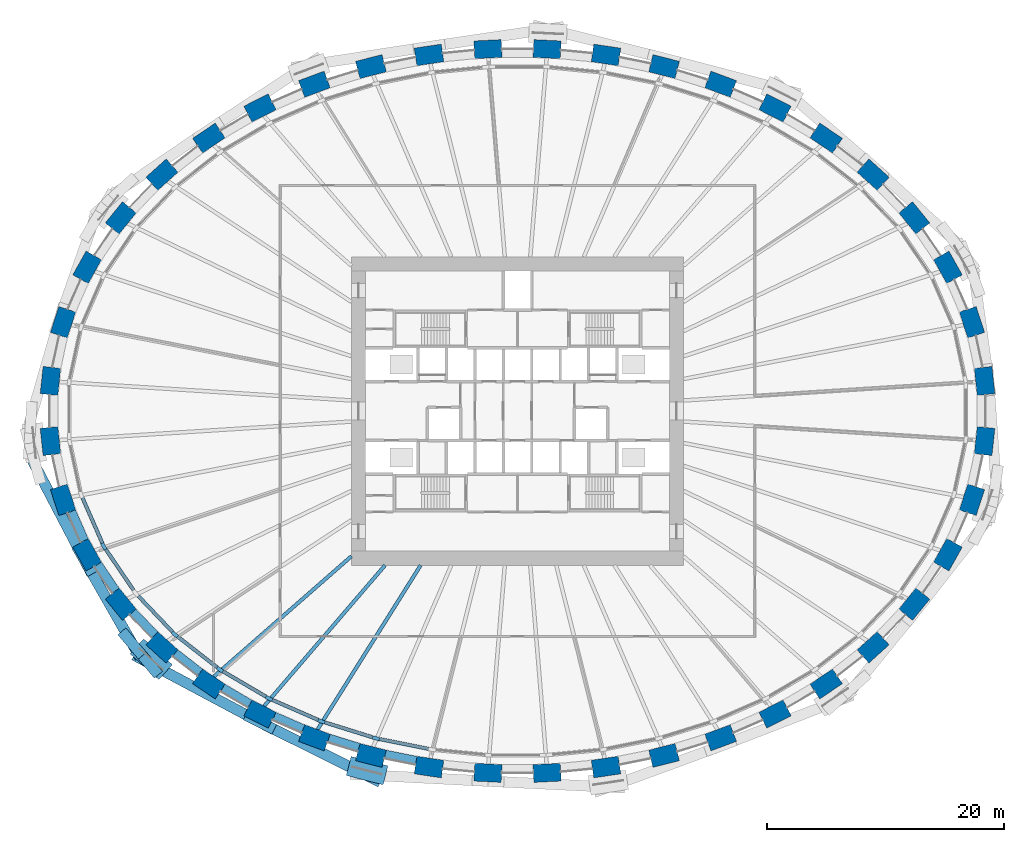
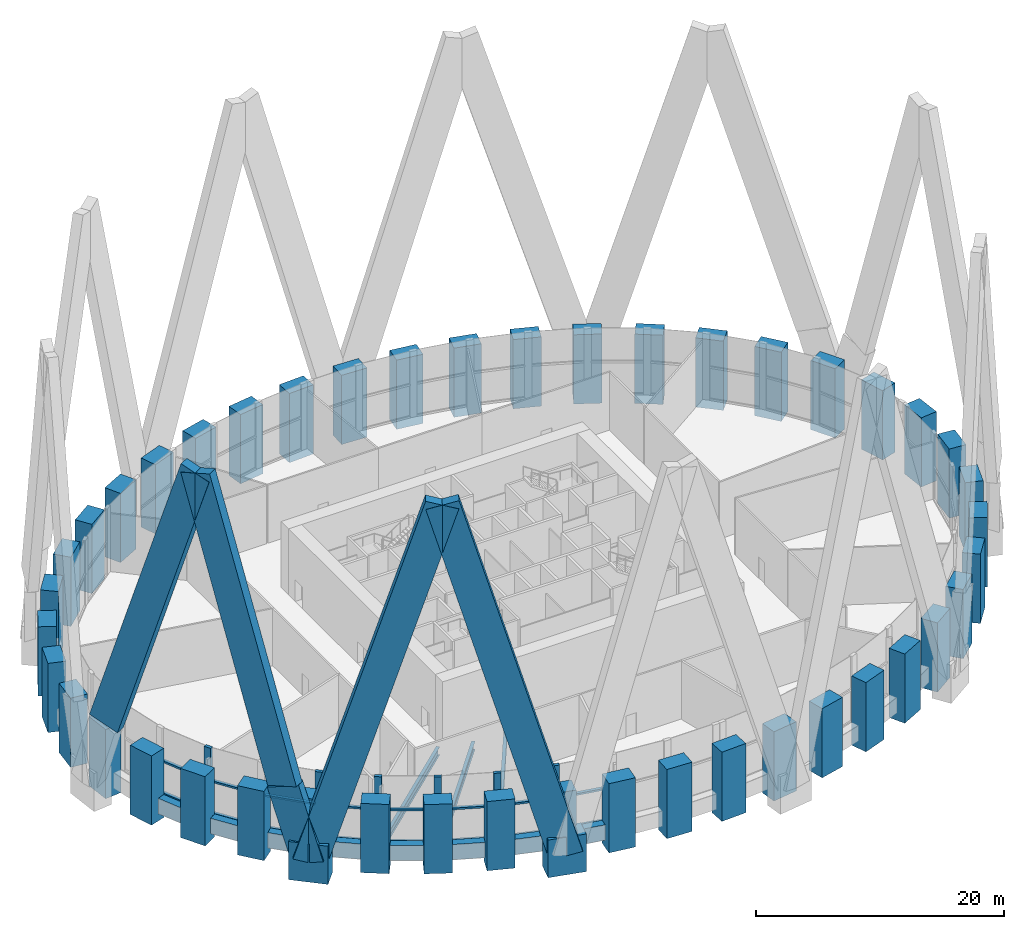
# One storey, part 1 of 17: 44 columns, 29 members, 11 beams, 1 element without a shape of its own.
"""IFC4 building model written with IfcOpenShell, lengths in metres."""

from ifc_helpers import new_model, si_unit, direction, frame, origin, origin_2d, place, context, subcontext, project, spatial, rectangle, i_section, extrude, source, transform, mapped, material, material_profile, profile_set, type_object, element, aggregate, save


model = new_model("IFC4")

# Units and contexts
model_context = context("Model", 3, precision=1e-05, world=origin(), true_north=direction((0.0, 1.0)))
body_context = subcontext(model_context, "Body", "Model", "MODEL_VIEW")
ifc_project = project(units=[si_unit("LENGTHUNIT", "METRE"), si_unit("AREAUNIT", "SQUARE_METRE"), si_unit("VOLUMEUNIT", "CUBIC_METRE"), si_unit("PLANEANGLEUNIT", "RADIAN"), si_unit("MASSUNIT", "GRAM", prefix="KILO")], contexts=[model_context])

# Site, building, storey
site_placement = place(None, origin())
site = spatial("IfcSite", under=ifc_project, at=site_placement, CompositionType="ELEMENT")
building_placement = place(site_placement, origin())
building = spatial("IfcBuilding", under=site, at=building_placement, Name="Embergate Tower", CompositionType="ELEMENT")
storey_placement = place(building_placement, frame((0.0, 0.0, 125.0)))
storey = spatial("IfcBuildingStorey", under=building, at=storey_placement, Name="L27", CompositionType="ELEMENT", Elevation=125.0)

# Columns
ifc_material_1 = material(Name="Concrete C70", Category="concrete")
ifc_material_profile_1 = material_profile(ifc_material_1, rectangle(XDim=1.5, YDim=2.300048828125, at=origin_2d()), Name="RC 1500x2300")
ifc_profile_set_1 = profile_set([ifc_material_profile_1], Name="Concrete C70")
column_type = type_object("IfcColumnType", Name="Ring column RC 1500x2300 C70", PredefinedType="COLUMN", material=ifc_profile_set_1)
shared_shape_1 = source(origin(), body_context, "Body", "SweptSolid", [
    extrude(rectangle(XDim=1.5, YDim=2.300048828125, at=origin_2d()), origin(), (0.0, 0.0, 1.0), 6.800048828125),
])
for number, where, z_axis, x_axis, name in (
    (1, (39.362060546875, 2.532958984375, -1.5), (0.0, 0.0, 1.0), (0.99428589498, 0.106749983816, 0.0), "COL-L27-00"),
    (2, (38.297119140625, 7.48193359375, -1.5), (0.0, 0.0, 1.0), (0.950754033697, 0.309946394413, 0.0), "COL-L27-01"),
    (3, (36.26806640625, 12.110107421875, -1.5), (0.0, 0.0, 1.0), (0.873491969053, 0.486838556403, 0.0), "COL-L27-02"),
    (4, (33.43408203125, 16.277099609375, -1.5), (0.0, 0.0, 1.0), (0.775914301615, 0.630838328377, 0.0), "COL-L27-03"),
    (5, (29.965087890625, 19.9150390625, -1.5), (0.0, 0.0, 1.0), (0.669208424634, 0.74307475021, 0.0), "COL-L27-04"),
    (6, (26.011962890625, 23.0009765625, -1.5), (0.0, 0.0, 1.0), (0.560393279442, 0.828226643109, 0.0), "COL-L27-05"),
    (7, (21.697021484375, 25.5390625, -1.5), (0.0, 0.0, 1.0), (0.452994952881, 0.891513080478, 0.0), "COL-L27-06"),
    (8, (17.116943359375, 27.541015625, -1.5), (0.0, 0.0, 1.0), (0.348343015724, 0.93736713373, 0.0), "COL-L27-07"),
    (9, (12.34912109375, 29.02587890625, -1.5), (0.0, 0.0, 1.0), (0.246491603437, 0.969144926951, 0.0), "COL-L27-08"),
    (10, (7.45703125, 30.007080078125, -1.5), (0.0, 0.0, 1.0), (0.146929011949, 0.989147039346, 0.0), "COL-L27-09"),
    (11, (2.492919921875, 30.4951171875, -1.5), (0.0, 0.0, 1.0), (0.048814904854, 0.998807841912, 0.0), "COL-L27-10"),
    (12, (-2.492919921875, 30.4951171875, -1.5), (0.0, 0.0, 1.0), (-0.048814904854, 0.998807841912, 0.0), "COL-L27-11"),
    (13, (-7.45703125, 30.007080078125, -1.5), (0.0, 0.0, 1.0), (-0.146929011949, 0.989147039346, 0.0), "COL-L27-12"),
    (14, (-12.34912109375, 29.02587890625, -1.5), (0.0, 0.0, 1.0), (-0.246491603437, 0.969144926951, 0.0), "COL-L27-13"),
    (15, (-17.116943359375, 27.541015625, -1.5), (0.0, 0.0, 1.0), (-0.348343015724, 0.93736713373, 0.0), "COL-L27-14"),
    (16, (-21.697021484375, 25.5390625, -1.5), (0.0, 0.0, 1.0), (-0.452994952881, 0.891513080478, 0.0), "COL-L27-15"),
    (17, (-26.011962890625, 23.0009765625, -1.5), (0.0, 0.0, 1.0), (-0.560393279442, 0.828226643109, 0.0), "COL-L27-16"),
    (18, (-29.965087890625, 19.9150390625, -1.5), (0.0, 0.0, 1.0), (-0.669208424634, 0.74307475021, 0.0), "COL-L27-17"),
    (19, (-33.43408203125, 16.277099609375, -1.5), (0.0, 0.0, 1.0), (-0.775914301615, 0.630838328377, 0.0), "COL-L27-18"),
    (20, (-36.26806640625, 12.110107421875, -1.5), (0.0, 0.0, 1.0), (-0.873491969053, 0.486838556403, 0.0), "COL-L27-19"),
    (21, (-38.297119140625, 7.48193359375, -1.5), (0.0, 0.0, 1.0), (-0.950754033697, 0.309946394413, 0.0), "COL-L27-20"),
    (22, (-39.362060546875, 2.532958984375, -1.5), (0.0, 0.0, 1.0), (-0.99428589498, 0.106749983816, 0.0), "COL-L27-21"),
    (23, (-39.362060546875, -2.532958984375, -1.5), (0.0, 0.0, 1.0), (-0.99428589498, -0.106749983816, 0.0), "COL-L27-22"),
    (24, (-38.297119140625, -7.48193359375, -1.5), (0.0, 0.0, 1.0), (-0.950754033697, -0.309946394413, 0.0), "COL-L27-23"),
    (25, (-36.26806640625, -12.110107421875, -1.5), (0.0, 0.0, 1.0), (-0.873491969053, -0.486838556403, 0.0), "COL-L27-24"),
    (26, (-33.43408203125, -16.277099609375, -1.5), (0.0, 0.0, 1.0), (-0.775914301615, -0.630838328377, 0.0), "COL-L27-25"),
    (27, (-29.965087890625, -19.9150390625, -1.5), (0.0, 0.0, 1.0), (-0.669208424634, -0.74307475021, 0.0), "COL-L27-26"),
    (28, (-26.011962890625, -23.0009765625, -1.5), (0.0, 0.0, 1.0), (-0.560393279442, -0.828226643109, 0.0), "COL-L27-27"),
    (29, (-21.697021484375, -25.5390625, -1.5), (0.0, 0.0, 1.0), (-0.452994952881, -0.891513080478, 0.0), "COL-L27-28"),
    (30, (-17.116943359375, -27.541015625, -1.5), (0.0, 0.0, 1.0), (-0.348343015724, -0.93736713373, 0.0), "COL-L27-29"),
    (31, (-12.34912109375, -29.02587890625, -1.5), (0.0, 0.0, 1.0), (-0.246491603437, -0.969144926951, 0.0), "COL-L27-30"),
    (32, (-7.45703125, -30.007080078125, -1.5), (0.0, 0.0, 1.0), (-0.146929011949, -0.989147039346, 0.0), "COL-L27-31"),
    (33, (-2.492919921875, -30.4951171875, -1.5), (0.0, 0.0, 1.0), (-0.048814904854, -0.998807841912, 0.0), "COL-L27-32"),
    (34, (2.492919921875, -30.4951171875, -1.5), (0.0, 0.0, 1.0), (0.048814904854, -0.998807841912, 0.0), "COL-L27-33"),
    (35, (7.45703125, -30.007080078125, -1.5), (0.0, 0.0, 1.0), (0.146929011949, -0.989147039346, 0.0), "COL-L27-34"),
    (36, (12.34912109375, -29.02587890625, -1.5), (0.0, 0.0, 1.0), (0.246491603437, -0.969144926951, 0.0), "COL-L27-35"),
    (37, (17.116943359375, -27.541015625, -1.5), (0.0, 0.0, 1.0), (0.348343015724, -0.93736713373, 0.0), "COL-L27-36"),
    (38, (21.697021484375, -25.5390625, -1.5), (0.0, 0.0, 1.0), (0.452994952881, -0.891513080478, 0.0), "COL-L27-37"),
    (39, (26.011962890625, -23.0009765625, -1.5), (0.0, 0.0, 1.0), (0.560393279442, -0.828226643109, 0.0), "COL-L27-38"),
    (40, (29.965087890625, -19.9150390625, -1.5), (0.0, 0.0, 1.0), (0.669208424634, -0.74307475021, 0.0), "COL-L27-39"),
    (41, (33.43408203125, -16.277099609375, -1.5), (0.0, 0.0, 1.0), (0.775914301615, -0.630838328377, 0.0), "COL-L27-40"),
    (42, (36.26806640625, -12.110107421875, -1.5), (0.0, 0.0, 1.0), (0.873491969053, -0.486838556403, 0.0), "COL-L27-41"),
    (43, (38.297119140625, -7.48193359375, -1.5), (0.0, 0.0, 1.0), (0.950754033697, -0.309946394413, 0.0), "COL-L27-42"),
    (44, (39.362060546875, -2.532958984375, -1.5), (0.0, 0.0, 1.0), (0.99428589498, -0.106749983816, 0.0), "COL-L27-43"),
):
    element("IfcColumn", number, at=place(storey_placement, frame(where, z_axis=z_axis, x_axis=x_axis)), inside=storey, type_object=column_type, Name=name, PredefinedType="COLUMN", context=body_context, shape_type="MappedRepresentation", body=[
        mapped(shared_shape_1, transform((0.0, 0.0, 0.0))),
    ])

# Beams
ifc_material_profile_2 = material_profile(ifc_material_1, rectangle(XDim=0.699951171875, YDim=1.5, at=origin_2d()), Name="RC 700x1500")
ifc_profile_set_2 = profile_set([ifc_material_profile_2], Name="Concrete C70")
beam_type_1 = type_object("IfcBeamType", Name="Spandrel beam RC 700x1500 C70", PredefinedType="BEAM", material=ifc_profile_set_2)
shared_shape_2 = source(origin(), body_context, "Body", "SweptSolid", [
    extrude(rectangle(XDim=0.699951171875, YDim=1.5, at=origin_2d()), origin(), (0.0, 0.0, 1.0), 2.689208984375),
])
beam_1_placement = place(storey_placement, frame((-37.569091796875, -8.4541015625, 0.0), z_axis=(0.401618751738, -0.915806954687, 0.0), x_axis=(0.915806954687, 0.401618751738, 0.0)))
element("IfcBeam", 45, at=beam_1_placement, inside=storey, type_object=beam_type_1, Name="SPN-L27-23", PredefinedType="BEAM", context=body_context, shape_type="MappedRepresentation", body=[
    mapped(shared_shape_2, transform((0.0, 0.0, 0.0))),
])
shared_shape_3 = source(origin(), body_context, "Body", "SweptSolid", [
    extrude(rectangle(XDim=0.699951171875, YDim=1.5, at=origin_2d()), origin(), (0.0, 0.0, 1.0), 2.678466796875),
])
beam_2_placement = place(storey_placement, frame((-35.35791015625, -12.9189453125, 0.0), z_axis=(0.562207798454, -0.826996004438, 0.0), x_axis=(0.826996004438, 0.562207798454, 0.0)))
element("IfcBeam", 46, at=beam_2_placement, inside=storey, type_object=beam_type_1, Name="SPN-L27-24", PredefinedType="BEAM", context=body_context, shape_type="MappedRepresentation", body=[
    mapped(shared_shape_3, transform((0.0, 0.0, 0.0))),
])
shared_shape_4 = source(origin(), body_context, "Body", "SweptSolid", [
    extrude(rectangle(XDim=0.699951171875, YDim=1.5, at=origin_2d()), origin(), (0.0, 0.0, 1.0), 2.673583984375),
])
beam_3_placement = place(storey_placement, frame((-32.406005859375, -16.923095703125, 0.0), z_axis=(0.690104255292, -0.72370996734, 0.0), x_axis=(0.72370996734, 0.690104255292, 0.0)))
element("IfcBeam", 47, at=beam_3_placement, inside=storey, type_object=beam_type_1, Name="SPN-L27-25", PredefinedType="BEAM", context=body_context, shape_type="MappedRepresentation", body=[
    mapped(shared_shape_4, transform((0.0, 0.0, 0.0))),
])
shared_shape_5 = source(origin(), body_context, "Body", "SweptSolid", [
    extrude(rectangle(XDim=0.699951171875, YDim=1.5, at=origin_2d()), origin(), (0.0, 0.0, 1.0), 2.666015625),
])
beam_4_placement = place(storey_placement, frame((-28.843017578125, -20.386962890625, 0.0), z_axis=(0.788088232686, -0.615562293762, 0.0), x_axis=(0.615562293762, 0.788088232686, 0.0)))
element("IfcBeam", 48, at=beam_4_placement, inside=storey, type_object=beam_type_1, Name="SPN-L27-26", PredefinedType="BEAM", context=body_context, shape_type="MappedRepresentation", body=[
    mapped(shared_shape_5, transform((0.0, 0.0, 0.0))),
])
shared_shape_6 = source(origin(), body_context, "Body", "SweptSolid", [
    extrude(rectangle(XDim=0.699951171875, YDim=1.5, at=origin_2d()), origin(), (0.0, 0.0, 1.0), 2.661376953125),
])
beam_5_placement = place(storey_placement, frame((-24.840087890625, -23.321044921875, 0.0), z_axis=(0.862040317261, -0.506839709787, 0.0), x_axis=(0.506839709787, 0.862040317261, 0.0)))
element("IfcBeam", 49, at=beam_5_placement, inside=storey, type_object=beam_type_1, Name="SPN-L27-27", PredefinedType="BEAM", context=body_context, shape_type="MappedRepresentation", body=[
    mapped(shared_shape_6, transform((0.0, 0.0, 0.0))),
])
shared_shape_7 = source(origin(), body_context, "Body", "SweptSolid", [
    extrude(rectangle(XDim=0.699951171875, YDim=1.5, at=origin_2d()), origin(), (0.0, 0.0, 1.0), 2.658203125),
])
beam_6_placement = place(storey_placement, frame((-20.4970703125, -25.716064453125, 0.0), z_axis=(0.916405886448, -0.400250235833, 0.0), x_axis=(0.400250235833, 0.916405886448, 0.0)))
element("IfcBeam", 50, at=beam_6_placement, inside=storey, type_object=beam_type_1, Name="SPN-L27-28", PredefinedType="BEAM", context=body_context, shape_type="MappedRepresentation", body=[
    mapped(shared_shape_7, transform((0.0, 0.0, 0.0))),
])
shared_shape_8 = source(origin(), body_context, "Body", "SweptSolid", [
    extrude(rectangle(XDim=0.699951171875, YDim=1.5, at=origin_2d()), origin(), (0.0, 0.0, 1.0), 2.654296875),
])
beam_7_placement = place(storey_placement, frame((-15.89892578125, -27.56494140625, 0.0), z_axis=(0.954674539356, -0.297651682181, 0.0), x_axis=(0.297651682181, 0.954674539356, 0.0)))
element("IfcBeam", 51, at=beam_7_placement, inside=storey, type_object=beam_type_1, Name="SPN-L27-29", PredefinedType="BEAM", context=body_context, shape_type="MappedRepresentation", body=[
    mapped(shared_shape_8, transform((0.0, 0.0, 0.0))),
])
shared_shape_9 = source(origin(), body_context, "Body", "SweptSolid", [
    extrude(rectangle(XDim=0.699951171875, YDim=1.5, at=origin_2d()), origin(), (0.0, 0.0, 1.0), 2.65185546875),
])
beam_8_placement = place(storey_placement, frame((-11.135986328125, -28.923095703125, 0.0), z_axis=(0.980438789246, -0.196824237691, 0.0), x_axis=(0.196824237691, 0.980438789246, 0.0)))
element("IfcBeam", 52, at=beam_8_placement, inside=storey, type_object=beam_type_1, Name="SPN-L27-30", PredefinedType="BEAM", context=body_context, shape_type="MappedRepresentation", body=[
    mapped(shared_shape_9, transform((0.0, 0.0, 0.0))),
])
ifc_material_2 = material(Name="Steel Q355B", Category="steel")
ifc_material_profile_3 = material_profile(ifc_material_2, i_section(OverallWidth=0.300048828125, OverallDepth=0.800048828125, WebThickness=0.013916015625, FlangeThickness=0.02587890625, FilletRadius=0.028076171875, at=origin_2d()), Name="HN 800x300x14x26")
ifc_profile_set_3 = profile_set([ifc_material_profile_3], Name="Steel Q355 grade B")
beam_type_2 = type_object("IfcBeamType", Name="Radial girder HN 800x300x14x26", PredefinedType="BEAM", material=ifc_profile_set_3)
shared_shape_10 = source(origin(), body_context, "Body", "SweptSolid", [
    extrude(i_section(OverallWidth=0.300048828125, OverallDepth=0.800048828125, WebThickness=0.013916015625, FlangeThickness=0.02587890625, FilletRadius=0.028076171875, at=origin_2d()), origin(), (0.0, 0.0, 1.0), 15.399169921875),
])
beam_9_placement = place(storey_placement, frame((-25.592041015625, -22.3798828125, -0.699951171875), z_axis=(0.752772102856, 0.658281217385, 0.0), x_axis=(-0.658281217385, 0.752772102856, 0.0)))
element("IfcBeam", 53, at=beam_9_placement, inside=storey, type_object=beam_type_2, Name="GIR-L27-27", PredefinedType="BEAM", context=body_context, shape_type="MappedRepresentation", body=[
    mapped(shared_shape_10, transform((0.0, 0.0, 0.0))),
])
shared_shape_11 = source(origin(), body_context, "Body", "SweptSolid", [
    extrude(i_section(OverallWidth=0.300048828125, OverallDepth=0.800048828125, WebThickness=0.013916015625, FlangeThickness=0.02587890625, FilletRadius=0.028076171875, at=origin_2d()), origin(), (0.0, 0.0, 1.0), 15.64599609375),
])
beam_10_placement = place(storey_placement, frame((-21.35693359375, -24.8701171875, -0.699951171875), z_axis=(0.651472185751, 0.758672519071, 0.0), x_axis=(-0.758672519071, 0.651472185751, 0.0)))
element("IfcBeam", 54, at=beam_10_placement, inside=storey, type_object=beam_type_2, Name="GIR-L27-28", PredefinedType="BEAM", context=body_context, shape_type="MappedRepresentation", body=[
    mapped(shared_shape_11, transform((0.0, 0.0, 0.0))),
])
shared_shape_12 = source(origin(), body_context, "Body", "SweptSolid", [
    extrude(i_section(OverallWidth=0.300048828125, OverallDepth=0.800048828125, WebThickness=0.013916015625, FlangeThickness=0.02587890625, FilletRadius=0.028076171875, at=origin_2d()), origin(), (0.0, 0.0, 1.0), 16.3408203125),
])
beam_11_placement = place(storey_placement, frame((-16.85595703125, -26.837890625, -0.699951171875), z_axis=(0.531856347721, 0.846834591517, 0.0), x_axis=(-0.846834591517, 0.531856347721, 0.0)))
element("IfcBeam", 55, at=beam_11_placement, inside=storey, type_object=beam_type_2, Name="GIR-L27-29", PredefinedType="BEAM", context=body_context, shape_type="MappedRepresentation", body=[
    mapped(shared_shape_12, transform((0.0, 0.0, 0.0))),
])

# Members
ifc_material_profile_4 = material_profile(ifc_material_1, rectangle(XDim=1.64990234375, YDim=3.199951171875, at=origin_2d()), Name="RC 1650x3200")
ifc_profile_set_4 = profile_set([ifc_material_profile_4], Name="Concrete C70")
member_type_1 = type_object("IfcMemberType", Name="Lattice node block RC 1650x3200", PredefinedType="POST", material=ifc_profile_set_4)
shared_shape_13 = source(origin(), body_context, "Body", "SweptSolid", [
    extrude(rectangle(XDim=1.64990234375, YDim=3.199951171875, at=origin_2d()), origin(), (0.0, 0.0, 1.0), 3.7001953125),
])
member_1_placement = place(storey_placement, frame((-12.676025390625, -30.31005859375, -1.85009765625), z_axis=(0.0, 0.0, 1.0), x_axis=(-0.246491603437, -0.969144926951, 0.0)))
element("IfcMember", 56, at=member_1_placement, inside=storey, type_object=member_type_1, Name="NOD-L27-30", PredefinedType="POST", context=body_context, shape_type="MappedRepresentation", body=[
    mapped(shared_shape_13, transform((0.0, 0.0, 0.0))),
])
ifc_material_profile_5 = material_profile(ifc_material_1, rectangle(XDim=1.699951171875, YDim=3.25, at=origin_2d()), Name="RC 1700x3250")
ifc_profile_set_5 = profile_set([ifc_material_profile_5], Name="Concrete C70")
member_type_2 = type_object("IfcMemberType", Name="Lattice node block RC 1700x3250", PredefinedType="POST", material=ifc_profile_set_5)
shared_shape_14 = source(origin(), body_context, "Body", "SweptSolid", [
    extrude(rectangle(XDim=1.699951171875, YDim=3.25, at=origin_2d()), origin(), (0.0, 0.0, 1.0), 3.75),
])
member_2_placement = place(storey_placement, frame((-30.868896484375, -20.9189453125, -1.875), z_axis=(0.0, 0.0, 1.0), x_axis=(-0.669208424634, -0.74307475021, 0.0)))
element("IfcMember", 57, at=member_2_placement, inside=storey, type_object=member_type_2, Name="NOD-L27-26", PredefinedType="POST", context=body_context, shape_type="MappedRepresentation", body=[
    mapped(shared_shape_14, transform((0.0, 0.0, 0.0))),
])
ifc_material_profile_6 = material_profile(ifc_material_1, rectangle(XDim=0.89990234375, YDim=2.800048828125, at=origin_2d()), Name="RC 900x2800")
ifc_profile_set_6 = profile_set([ifc_material_profile_6], Name="Concrete C70")
member_type_3 = type_object("IfcMemberType", Name="Lattice diagonal terracotta-faced RC 900x2800", PredefinedType="BRACE", material=ifc_profile_set_6)
shared_shape_15 = source(origin(), body_context, "Body", "SweptSolid", [
    extrude(rectangle(XDim=0.89990234375, YDim=2.800048828125, at=origin_2d()), origin(), (0.0, 0.0, 1.0), 29.23388671875),
])
member_3_placement = place(storey_placement, frame((-40.5419921875, -4.824951171875, 7.0), z_axis=(0.138397497441, -0.264627172425, 0.954368163927), x_axis=(0.886129663045, 0.463437396282, 0.0)))
element("IfcMember", 58, at=member_3_placement, inside=storey, type_object=member_type_3, Name="BRC-L27-22-24-S01", PredefinedType="BRACE", context=body_context, shape_type="MappedRepresentation", body=[
    mapped(shared_shape_15, transform((0.0, 0.0, 0.0))),
])
shared_shape_16 = source(origin(), body_context, "Body", "SweptSolid", [
    extrude(rectangle(XDim=0.89990234375, YDim=2.800048828125, at=origin_2d()), origin(), (0.0, 0.0, 1.0), 7.309814453125),
])
member_4_placement = place(storey_placement, frame((-31.1259765625, -21.2041015625, 0.0), z_axis=(-0.185496716539, 0.220398421397, 0.957609264783), x_axis=(-0.765085549288, -0.643928646878, 0.0)))
element("IfcMember", 59, at=member_4_placement, inside=storey, type_object=member_type_3, Name="BRC-L27-26-24-S00", PredefinedType="BRACE", context=body_context, shape_type="MappedRepresentation", body=[
    mapped(shared_shape_16, transform((0.0, 0.0, 0.0))),
])
shared_shape_17 = source(origin(), body_context, "Body", "SweptSolid", [
    extrude(rectangle(XDim=0.89990234375, YDim=2.800048828125, at=origin_2d()), origin(), (0.0, 0.0, 1.0), 29.051025390625),
])
member_5_placement = place(storey_placement, frame((-32.48193359375, -19.593017578125, 7.0), z_axis=(-0.138175807782, 0.242055576666, 0.960373127461), x_axis=(-0.868462005962, -0.495755730376, 0.0)))
element("IfcMember", 60, at=member_5_placement, inside=storey, type_object=member_type_3, Name="BRC-L27-26-24-S01", PredefinedType="BRACE", context=body_context, shape_type="MappedRepresentation", body=[
    mapped(shared_shape_17, transform((0.0, 0.0, 0.0))),
])
shared_shape_18 = source(origin(), body_context, "Body", "SweptSolid", [
    extrude(rectangle(XDim=0.89990234375, YDim=2.800048828125, at=origin_2d()), origin(), (0.0, 0.0, 1.0), 36.49853515625),
])
member_6_placement = place(storey_placement, frame((-31.1259765625, -21.2041015625, 0.0), z_axis=(0.25828460923, -0.137727710979, 0.956200888027), x_axis=(0.470524184991, 0.882387098352, 0.0)))
element("IfcMember", 61, at=member_6_placement, inside=storey, type_object=member_type_3, Name="BRC-L27-26-28-S00", PredefinedType="BRACE", context=body_context, shape_type="MappedRepresentation", body=[
    mapped(shared_shape_18, transform((0.0, 0.0, 0.0))),
])
shared_shape_19 = source(origin(), body_context, "Body", "SweptSolid", [
    extrude(rectangle(XDim=0.89990234375, YDim=2.800048828125, at=origin_2d()), origin(), (0.0, 0.0, 1.0), 36.29736328125),
])
member_7_placement = place(storey_placement, frame((-12.76806640625, -30.674072265625, 0.0), z_axis=(-0.246047747866, 0.122408435073, 0.961497103892), x_axis=(-0.445421125935, -0.895321182912, 0.0)))
element("IfcMember", 62, at=member_7_placement, inside=storey, type_object=member_type_3, Name="BRC-L27-30-28-S00", PredefinedType="BRACE", context=body_context, shape_type="MappedRepresentation", body=[
    mapped(shared_shape_19, transform((0.0, 0.0, 0.0))),
])

# Curtain wall, members
ifc_material_3 = material(Name="Aluminium and glass", Category="aluminium")
curtain_wall_type = type_object("IfcCurtainWallType", Name="Sky lobby high glazing", PredefinedType="NOTDEFINED", material=ifc_material_3)
curtain_wall_placement = place(storey_placement, origin())
curtain_wall = element("IfcCurtainWall", 63, at=curtain_wall_placement, inside=storey, type_object=curtain_wall_type, Name="Sky lobby high glazing run 3", ObjectType="SKY LOBBY HIGH GLAZING", PredefinedType="USERDEFINED")
ifc_material_4 = material(Name="Aluminium, thermally broken", Category="aluminium")
ifc_material_profile_7 = material_profile(ifc_material_4, rectangle(XDim=0.300048828125, YDim=0.60009765625, at=origin_2d()), Name="AL 600x300")
ifc_profile_set_7 = profile_set([ifc_material_profile_7], Name="Aluminium, thermally broken")
member_type_4 = type_object("IfcMemberType", Name="Sky lobby mullion", PredefinedType="MULLION", material=ifc_profile_set_7)
shared_shape_20 = source(origin(), body_context, "Body", "SweptSolid", [
    extrude(rectangle(XDim=0.300048828125, YDim=0.60009765625, at=origin_2d()), origin(), (0.0, 0.0, 1.0), 6.5),
])
member_8_placement = place(storey_placement, frame((-34.868896484375, -11.40966796875, 0.0), z_axis=(0.0, 0.0, 1.0), x_axis=(0.874995136163, 0.484131709032, 0.0)))
member_8 = element("IfcMember", 64, at=member_8_placement, type_object=member_type_4, Name="CW mullion 3", PredefinedType="MULLION", context=body_context, shape_type="MappedRepresentation", body=[
    mapped(shared_shape_20, transform((0.0, 0.0, 0.0))),
])
member_9_placement = place(storey_placement, frame((-28.871826171875, -18.832763671875, 0.0), z_axis=(0.0, 0.0, 1.0), x_axis=(0.671218771544, 0.741259307346, 0.0)))
member_9 = element("IfcMember", 65, at=member_9_placement, type_object=member_type_4, Name="CW mullion 5", PredefinedType="MULLION", context=body_context, shape_type="MappedRepresentation", body=[
    mapped(shared_shape_20, transform((0.0, 0.0, 0.0))),
])
member_10_placement = place(storey_placement, frame((-25.087158203125, -21.78662109375, 0.0), z_axis=(0.0, 0.0, 1.0), x_axis=(0.562208958301, 0.826995215951, 0.0)))
member_10 = element("IfcMember", 66, at=member_10_placement, type_object=member_type_4, Name="CW mullion 6", PredefinedType="MULLION", context=body_context, shape_type="MappedRepresentation", body=[
    mapped(shared_shape_20, transform((0.0, 0.0, 0.0))),
])
member_11_placement = place(storey_placement, frame((-20.9423828125, -24.223388671875, 0.0), z_axis=(0.0, 0.0, 1.0), x_axis=(0.45450516197, 0.8907441034, 0.0)))
member_11 = element("IfcMember", 67, at=member_11_placement, type_object=member_type_4, Name="CW mullion 7", PredefinedType="MULLION", context=body_context, shape_type="MappedRepresentation", body=[
    mapped(shared_shape_20, transform((0.0, 0.0, 0.0))),
])
member_12_placement = place(storey_placement, frame((-16.532470703125, -26.151611328125, 0.0), z_axis=(0.0, 0.0, 1.0), x_axis=(0.349497777064, 0.936937193107, 0.0)))
member_12 = element("IfcMember", 68, at=member_12_placement, type_object=member_type_4, Name="CW mullion 8", PredefinedType="MULLION", context=body_context, shape_type="MappedRepresentation", body=[
    mapped(shared_shape_20, transform((0.0, 0.0, 0.0))),
])
member_13_placement = place(storey_placement, frame((-11.93359375, -27.583984375, 0.0), z_axis=(0.0, 0.0, 1.0), x_axis=(0.247308499144, 0.96893679167, 0.0)))
member_13 = element("IfcMember", 69, at=member_13_placement, type_object=member_type_4, Name="CW mullion 9", PredefinedType="MULLION", context=body_context, shape_type="MappedRepresentation", body=[
    mapped(shared_shape_20, transform((0.0, 0.0, 0.0))),
])
ifc_material_profile_8 = material_profile(ifc_material_4, rectangle(XDim=0.300048828125, YDim=0.179931640625, at=origin_2d()), Name="AL 180x300")
ifc_profile_set_8 = profile_set([ifc_material_profile_8], Name="Aluminium, thermally broken")
member_type_5 = type_object("IfcMemberType", Name="Sky lobby transom", PredefinedType="USERDEFINED", material=ifc_profile_set_8)
shared_shape_21 = source(origin(), body_context, "Body", "SweptSolid", [
    extrude(rectangle(XDim=0.300048828125, YDim=0.179931640625, at=origin_2d()), origin(), (0.0, 0.0, 1.0), 4.172607421875),
])
member_14_placement = place(storey_placement, frame((-36.665283203125, -7.313720703125, 0.090087890625), z_axis=(0.401616728109, -0.915807842128, 0.0), x_axis=(0.915807842128, 0.401616728109, 0.0)))
member_14 = element("IfcMember", 70, at=member_14_placement, type_object=member_type_5, Name="CW transom 2.1", ObjectType="TRANSOM", PredefinedType="USERDEFINED", context=body_context, shape_type="MappedRepresentation", body=[
    mapped(shared_shape_21, transform((0.0, 0.0, 0.0))),
])
member_15_placement = place(storey_placement, frame((-36.665283203125, -7.313720703125, 3.25), z_axis=(0.401616728109, -0.915807842128, 0.0), x_axis=(0.915807842128, 0.401616728109, 0.0)))
member_15 = element("IfcMember", 71, at=member_15_placement, type_object=member_type_5, Name="CW transom 2.2", ObjectType="TRANSOM", PredefinedType="USERDEFINED", context=body_context, shape_type="MappedRepresentation", body=[
    mapped(shared_shape_21, transform((0.0, 0.0, 0.0))),
])
shared_shape_22 = source(origin(), body_context, "Body", "SweptSolid", [
    extrude(rectangle(XDim=0.300048828125, YDim=0.179931640625, at=origin_2d()), origin(), (0.0, 0.0, 1.0), 4.1826171875),
])
member_16_placement = place(storey_placement, frame((-34.7001953125, -11.65771484375, 0.090087890625), z_axis=(0.562327583089, -0.826914559853, 0.0), x_axis=(0.826914559853, 0.562327583089, 0.0)))
member_16 = element("IfcMember", 72, at=member_16_placement, type_object=member_type_5, Name="CW transom 3.1", ObjectType="TRANSOM", PredefinedType="USERDEFINED", context=body_context, shape_type="MappedRepresentation", body=[
    mapped(shared_shape_22, transform((0.0, 0.0, 0.0))),
])
member_17_placement = place(storey_placement, frame((-34.7001953125, -11.65771484375, 3.25), z_axis=(0.562327583089, -0.826914559853, 0.0), x_axis=(0.826914559853, 0.562327583089, 0.0)))
member_17 = element("IfcMember", 73, at=member_17_placement, type_object=member_type_5, Name="CW transom 3.2", ObjectType="TRANSOM", PredefinedType="USERDEFINED", context=body_context, shape_type="MappedRepresentation", body=[
    mapped(shared_shape_22, transform((0.0, 0.0, 0.0))),
])
shared_shape_23 = source(origin(), body_context, "Body", "SweptSolid", [
    extrude(rectangle(XDim=0.300048828125, YDim=0.179931640625, at=origin_2d()), origin(), (0.0, 0.0, 1.0), 4.192626953125),
])
member_18_placement = place(storey_placement, frame((-31.972412109375, -15.58154296875, 0.090087890625), z_axis=(0.690137750546, -0.723678025969, 0.0), x_axis=(0.723678025969, 0.690137750546, 0.0)))
member_18 = element("IfcMember", 74, at=member_18_placement, type_object=member_type_5, Name="CW transom 4.1", ObjectType="TRANSOM", PredefinedType="USERDEFINED", context=body_context, shape_type="MappedRepresentation", body=[
    mapped(shared_shape_23, transform((0.0, 0.0, 0.0))),
])
member_19_placement = place(storey_placement, frame((-31.972412109375, -15.58154296875, 3.25), z_axis=(0.690137750546, -0.723678025969, 0.0), x_axis=(0.723678025969, 0.690137750546, 0.0)))
member_19 = element("IfcMember", 75, at=member_19_placement, type_object=member_type_5, Name="CW transom 4.2", ObjectType="TRANSOM", PredefinedType="USERDEFINED", context=body_context, shape_type="MappedRepresentation", body=[
    mapped(shared_shape_23, transform((0.0, 0.0, 0.0))),
])
shared_shape_24 = source(origin(), body_context, "Body", "SweptSolid", [
    extrude(rectangle(XDim=0.300048828125, YDim=0.179931640625, at=origin_2d()), origin(), (0.0, 0.0, 1.0), 4.201171875),
])
member_20_placement = place(storey_placement, frame((-28.635498046875, -19.017333984375, 0.090087890625), z_axis=(0.78834671824, -0.615231218193, 0.0), x_axis=(0.615231218193, 0.78834671824, 0.0)))
member_20 = element("IfcMember", 76, at=member_20_placement, type_object=member_type_5, Name="CW transom 5.1", ObjectType="TRANSOM", PredefinedType="USERDEFINED", context=body_context, shape_type="MappedRepresentation", body=[
    mapped(shared_shape_24, transform((0.0, 0.0, 0.0))),
])
member_21_placement = place(storey_placement, frame((-28.635498046875, -19.017333984375, 3.25), z_axis=(0.78834671824, -0.615231218193, 0.0), x_axis=(0.615231218193, 0.78834671824, 0.0)))
member_21 = element("IfcMember", 77, at=member_21_placement, type_object=member_type_5, Name="CW transom 5.2", ObjectType="TRANSOM", PredefinedType="USERDEFINED", context=body_context, shape_type="MappedRepresentation", body=[
    mapped(shared_shape_24, transform((0.0, 0.0, 0.0))),
])
shared_shape_25 = source(origin(), body_context, "Body", "SweptSolid", [
    extrude(rectangle(XDim=0.300048828125, YDim=0.179931640625, at=origin_2d()), origin(), (0.0, 0.0, 1.0), 4.2080078125),
])
member_22_placement = place(storey_placement, frame((-24.82861328125, -21.938720703125, 0.090087890625), z_axis=(0.862075868471, -0.506779238919, 0.0), x_axis=(0.506779238919, 0.862075868471, 0.0)))
member_22 = element("IfcMember", 78, at=member_22_placement, type_object=member_type_5, Name="CW transom 6.1", ObjectType="TRANSOM", PredefinedType="USERDEFINED", context=body_context, shape_type="MappedRepresentation", body=[
    mapped(shared_shape_25, transform((0.0, 0.0, 0.0))),
])
member_23_placement = place(storey_placement, frame((-24.82861328125, -21.938720703125, 3.25), z_axis=(0.862075868471, -0.506779238919, 0.0), x_axis=(0.506779238919, 0.862075868471, 0.0)))
member_23 = element("IfcMember", 79, at=member_23_placement, type_object=member_type_5, Name="CW transom 6.2", ObjectType="TRANSOM", PredefinedType="USERDEFINED", context=body_context, shape_type="MappedRepresentation", body=[
    mapped(shared_shape_25, transform((0.0, 0.0, 0.0))),
])
shared_shape_26 = source(origin(), body_context, "Body", "SweptSolid", [
    extrude(rectangle(XDim=0.300048828125, YDim=0.179931640625, at=origin_2d()), origin(), (0.0, 0.0, 1.0), 4.213134765625),
])
member_24_placement = place(storey_placement, frame((-20.66748046875, -24.343505859375, 0.090087890625), z_axis=(0.916227809224, -0.400657711275, 0.0), x_axis=(0.400657711275, 0.916227809224, 0.0)))
member_24 = element("IfcMember", 80, at=member_24_placement, type_object=member_type_5, Name="CW transom 7.1", ObjectType="TRANSOM", PredefinedType="USERDEFINED", context=body_context, shape_type="MappedRepresentation", body=[
    mapped(shared_shape_26, transform((0.0, 0.0, 0.0))),
])
member_25_placement = place(storey_placement, frame((-20.66748046875, -24.343505859375, 3.25), z_axis=(0.916227809224, -0.400657711275, 0.0), x_axis=(0.400657711275, 0.916227809224, 0.0)))
member_25 = element("IfcMember", 81, at=member_25_placement, type_object=member_type_5, Name="CW transom 7.2", ObjectType="TRANSOM", PredefinedType="USERDEFINED", context=body_context, shape_type="MappedRepresentation", body=[
    mapped(shared_shape_26, transform((0.0, 0.0, 0.0))),
])
shared_shape_27 = source(origin(), body_context, "Body", "SweptSolid", [
    extrude(rectangle(XDim=0.300048828125, YDim=0.179931640625, at=origin_2d()), origin(), (0.0, 0.0, 1.0), 4.216796875),
])
member_26_placement = place(storey_placement, frame((-16.24609375, -26.240966796875, 0.090087890625), z_axis=(0.954783391598, -0.297302329504, 0.0), x_axis=(0.297302329504, 0.954783391598, 0.0)))
member_26 = element("IfcMember", 82, at=member_26_placement, type_object=member_type_5, Name="CW transom 8.1", ObjectType="TRANSOM", PredefinedType="USERDEFINED", context=body_context, shape_type="MappedRepresentation", body=[
    mapped(shared_shape_27, transform((0.0, 0.0, 0.0))),
])
member_27_placement = place(storey_placement, frame((-16.24609375, -26.240966796875, 3.25), z_axis=(0.954783391598, -0.297302329504, 0.0), x_axis=(0.297302329504, 0.954783391598, 0.0)))
member_27 = element("IfcMember", 83, at=member_27_placement, type_object=member_type_5, Name="CW transom 8.2", ObjectType="TRANSOM", PredefinedType="USERDEFINED", context=body_context, shape_type="MappedRepresentation", body=[
    mapped(shared_shape_27, transform((0.0, 0.0, 0.0))),
])
shared_shape_28 = source(origin(), body_context, "Body", "SweptSolid", [
    extrude(rectangle(XDim=0.300048828125, YDim=0.179931640625, at=origin_2d()), origin(), (0.0, 0.0, 1.0), 4.219482421875),
])
member_28_placement = place(storey_placement, frame((-11.639404296875, -27.642822265625, 0.090087890625), z_axis=(0.980469245045, -0.196672467625, 0.0), x_axis=(0.196672467625, 0.980469245045, 0.0)))
member_28 = element("IfcMember", 84, at=member_28_placement, type_object=member_type_5, Name="CW transom 9.1", ObjectType="TRANSOM", PredefinedType="USERDEFINED", context=body_context, shape_type="MappedRepresentation", body=[
    mapped(shared_shape_28, transform((0.0, 0.0, 0.0))),
])
member_29_placement = place(storey_placement, frame((-11.639404296875, -27.642822265625, 3.25), z_axis=(0.980469245045, -0.196672467625, 0.0), x_axis=(0.196672467625, 0.980469245045, 0.0)))
member_29 = element("IfcMember", 85, at=member_29_placement, type_object=member_type_5, Name="CW transom 9.2", ObjectType="TRANSOM", PredefinedType="USERDEFINED", context=body_context, shape_type="MappedRepresentation", body=[
    mapped(shared_shape_28, transform((0.0, 0.0, 0.0))),
])
aggregate(curtain_wall, [member_8, member_9, member_10, member_11, member_12, member_13, member_14, member_15, member_16, member_17, member_18, member_19, member_20, member_21, member_22, member_23, member_24, member_25, member_26, member_27, member_28, member_29])

save(model, "model.ifc")
